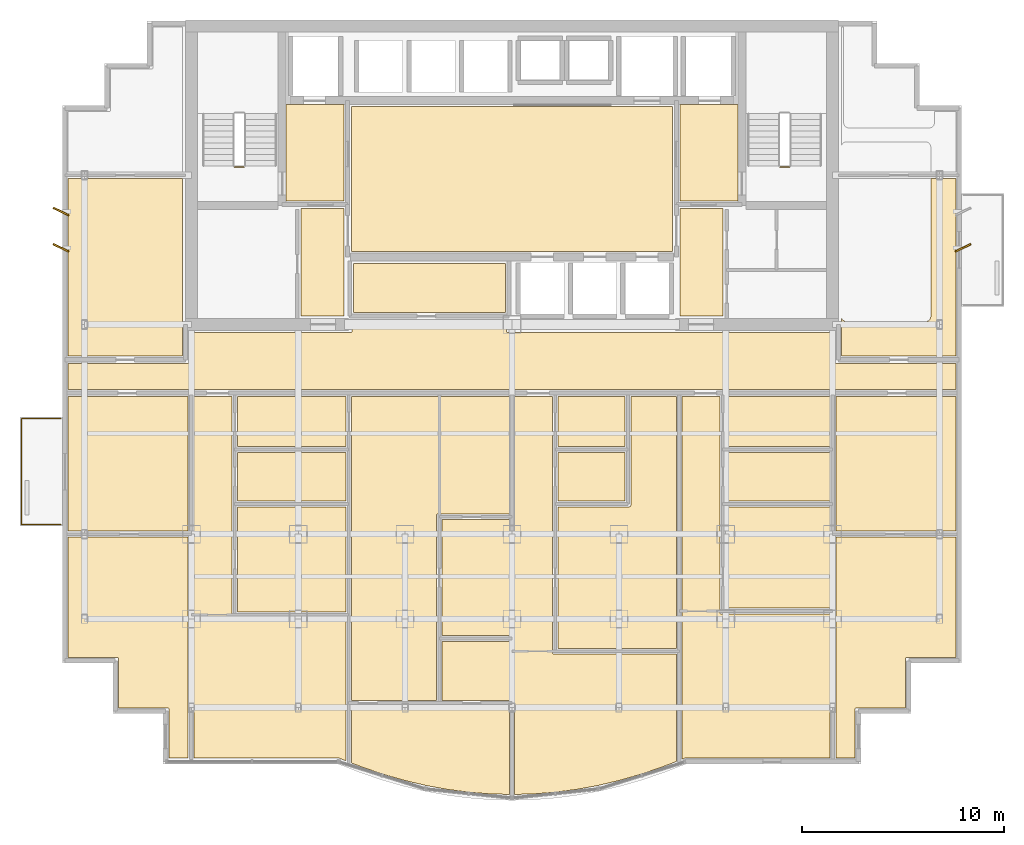
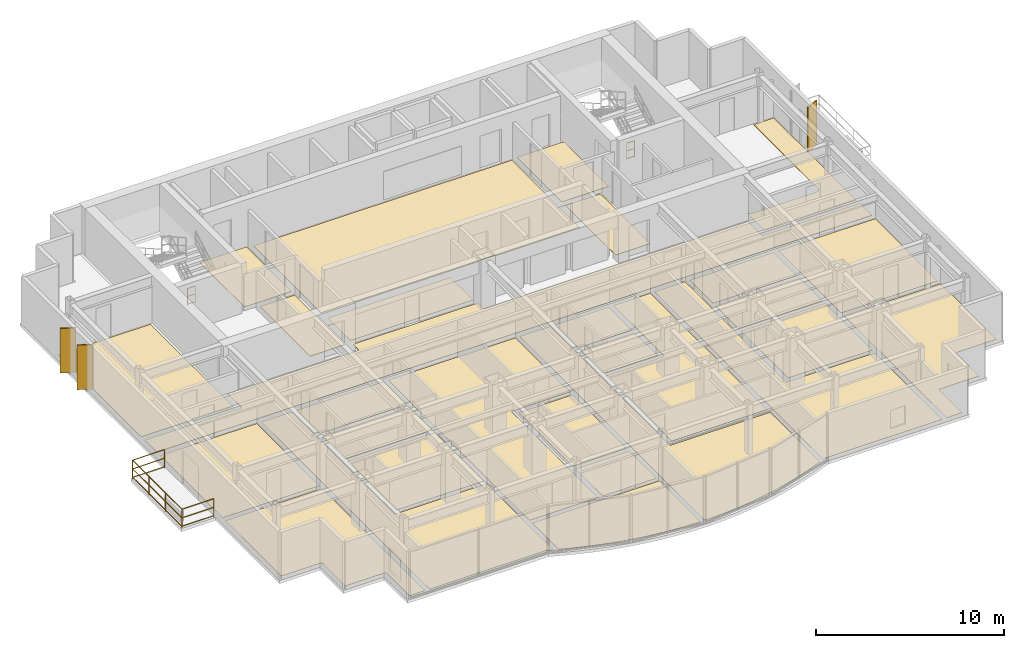
# One storey, part 10 of 11: 29 coverings, 3 railings, 3 shading devices.
"""IFC4 building model written with IfcOpenShell, lengths in metres."""

from ifc_helpers import new_model, si_unit, direction, frame, origin, origin_2d, place, context, subcontext, project, spatial, polyline, rectangle, circle, outline, extrude, source, transform, mapped, material, layer, layer_set, type_object, element, save


model = new_model("IFC4")

# Units and contexts
model_context = context("Model", 3, precision=1e-05, world=origin(), true_north=direction((0.0, 1.0)))
body_context = subcontext(model_context, "Body", "Model", "MODEL_VIEW")
ifc_project = project(units=[si_unit("LENGTHUNIT", "METRE"), si_unit("AREAUNIT", "SQUARE_METRE"), si_unit("VOLUMEUNIT", "CUBIC_METRE"), si_unit("PLANEANGLEUNIT", "RADIAN"), si_unit("MASSUNIT", "GRAM", prefix="KILO")], contexts=[model_context])

# Site, building, storey
site_placement = place(None, origin())
site = spatial("IfcSite", under=ifc_project, at=site_placement, CompositionType="ELEMENT")
building_placement = place(site_placement, origin())
building = spatial("IfcBuilding", under=site, at=building_placement, Name="Qianlan Lanfeng Residences", CompositionType="ELEMENT")
storey_placement = place(building_placement, frame((0.0, 0.0, 155.699951171875)))
storey = spatial("IfcBuildingStorey", under=building, at=storey_placement, Name="L42", CompositionType="ELEMENT", Elevation=155.699951171875)

# Coverings
ifc_material_1 = material(Name="Honed Taitung Granite Stone Flooring", Category="masonry")
ifc_layer_1 = layer(ifc_material_1, 0.030029296875)
ifc_layer_set_1 = layer_set([ifc_layer_1], Name="Honed Taitung Granite Stone Flooring")
covering_type_1 = type_object("IfcCoveringType", Name="FLR-STN-30", PredefinedType="FLOORING", material=ifc_layer_set_1)
covering_1_placement = place(storey_placement, origin())
element("IfcCovering", 1, at=covering_1_placement, inside=storey, type_object=covering_type_1, Name="L42 Firefighting Lift Lobby Floor Finish", PredefinedType="FLOORING", context=body_context, shape_type="SweptSolid", body=[
    extrude(outline(polyline([(15.2900390625, 31.320068359375), (18.179931640625, 31.320068359375), (18.179931640625, 36.110107421875), (15.2900390625, 36.110107421875), (15.2900390625, 31.320068359375)])), origin(), (0.0, 0.0, 1.0), 0.030029296875),
])
covering_2_placement = place(storey_placement, origin())
element("IfcCovering", 2, at=covering_2_placement, inside=storey, type_object=covering_type_1, Name="L42 Firefighting Lift Lobby Floor Finish", PredefinedType="FLOORING", context=body_context, shape_type="SweptSolid", body=[
    extrude(outline(polyline([(34.820068359375, 31.320068359375), (37.7099609375, 31.320068359375), (37.7099609375, 36.110107421875), (34.820068359375, 36.110107421875), (34.820068359375, 31.320068359375)])), origin(), (0.0, 0.0, 1.0), 0.030029296875),
])
covering_3_placement = place(storey_placement, origin())
element("IfcCovering", 3, at=covering_3_placement, inside=storey, type_object=covering_type_1, Name="L42 Lift Lobby Floor Finish", PredefinedType="FLOORING", context=body_context, shape_type="SweptSolid", body=[
    extrude(outline(polyline([(18.550048828125, 28.820068359375), (34.449951171875, 28.820068359375), (34.449951171875, 36.010009765625), (18.550048828125, 36.010009765625), (18.550048828125, 28.820068359375)])), origin(), (0.0, 0.0, 1.0), 0.030029296875),
])
covering_4_placement = place(storey_placement, origin())
element("IfcCovering", 4, at=covering_4_placement, inside=storey, type_object=covering_type_1, Name="L42 Residential Corridor Floor Finish", PredefinedType="FLOORING", context=body_context, shape_type="SweptSolid", body=[
    extrude(outline(polyline([(4.489990234375, 21.97998046875), (48.510009765625, 21.97998046875), (48.510009765625, 23.27001953125), (42.590087890625, 23.27001953125), (42.5830078125, 23.27001953125), (42.575927734375, 23.27099609375), (42.570068359375, 23.27294921875), (42.56298828125, 23.27490234375), (42.556884765625, 23.278076171875), (42.551025390625, 23.281982421875), (42.5458984375, 23.285888671875), (42.541015625, 23.291015625), (42.535888671875, 23.2958984375), (42.531982421875, 23.301025390625), (42.528076171875, 23.306884765625), (42.52490234375, 23.31298828125), (42.52294921875, 23.320068359375), (42.52099609375, 23.325927734375), (42.52001953125, 23.3330078125), (42.52001953125, 23.340087890625), (42.52001953125, 24.800048828125), (26.300048828125, 24.800048828125), (26.29296875, 24.800048828125), (26.285888671875, 24.801025390625), (26.280029296875, 24.802978515625), (26.27294921875, 24.804931640625), (26.26708984375, 24.80810546875), (26.260986328125, 24.81201171875), (26.256103515625, 24.81591796875), (26.2509765625, 24.821044921875), (26.24609375, 24.825927734375), (26.241943359375, 24.8310546875), (26.238037109375, 24.8369140625), (26.235107421875, 24.843017578125), (26.23291015625, 24.85009765625), (26.23095703125, 24.85595703125), (26.22998046875, 24.863037109375), (26.22998046875, 24.8701171875), (26.22998046875, 25.429931640625), (18.570068359375, 25.429931640625), (18.570068359375, 24.8701171875), (18.570068359375, 24.863037109375), (18.569091796875, 24.85595703125), (18.56689453125, 24.85009765625), (18.56494140625, 24.843017578125), (18.56201171875, 24.8369140625), (18.55810546875, 24.8310546875), (18.553955078125, 24.825927734375), (18.549072265625, 24.821044921875), (18.5439453125, 24.81591796875), (18.5390625, 24.81201171875), (18.532958984375, 24.80810546875), (18.527099609375, 24.804931640625), (18.52001953125, 24.802978515625), (18.513916015625, 24.801025390625), (18.507080078125, 24.800048828125), (18.5, 24.800048828125), (10.47998046875, 24.800048828125), (10.47998046875, 23.340087890625), (10.47998046875, 23.3330078125), (10.47900390625, 23.325927734375), (10.47705078125, 23.320068359375), (10.47509765625, 23.31298828125), (10.471923828125, 23.306884765625), (10.468017578125, 23.301025390625), (10.464111328125, 23.2958984375), (10.458984375, 23.291015625), (10.4541015625, 23.285888671875), (10.448974609375, 23.281982421875), (10.443115234375, 23.278076171875), (10.43701171875, 23.27490234375), (10.429931640625, 23.27294921875), (10.424072265625, 23.27099609375), (10.4169921875, 23.27001953125), (10.409912109375, 23.27001953125), (4.489990234375, 23.27001953125), (4.489990234375, 21.97998046875)])), origin(), (0.0, 0.0, 1.0), 0.030029296875),
])
covering_5_placement = place(storey_placement, origin())
element("IfcCovering", 5, at=covering_5_placement, inside=storey, type_object=covering_type_1, Name="L42 Lift Lobby Floor Finish", PredefinedType="FLOORING", context=body_context, shape_type="SweptSolid", body=[
    extrude(outline(polyline([(16.030029296875, 25.610107421875), (18.169921875, 25.610107421875), (18.169921875, 30.949951171875), (16.030029296875, 30.949951171875), (16.030029296875, 25.610107421875)])), origin(), (0.0, 0.0, 1.0), 0.030029296875),
])
covering_6_placement = place(storey_placement, origin())
element("IfcCovering", 6, at=covering_6_placement, inside=storey, type_object=covering_type_1, Name="L42 Lift Lobby Floor Finish", PredefinedType="FLOORING", context=body_context, shape_type="SweptSolid", body=[
    extrude(outline(polyline([(34.830078125, 25.610107421875), (36.969970703125, 25.610107421875), (36.969970703125, 30.949951171875), (34.830078125, 30.949951171875), (34.830078125, 25.610107421875)])), origin(), (0.0, 0.0, 1.0), 0.030029296875),
])
ifc_material_2 = material(Name="Slip-Resistant Porcelain Tile Flooring")
ifc_layer_2 = layer(ifc_material_2, 0.02001953125)
ifc_layer_set_2 = layer_set([ifc_layer_2], Name="Slip-Resistant Porcelain Tile Flooring")
covering_type_2 = type_object("IfcCoveringType", Name="FLR-TIL-20", PredefinedType="FLOORING", material=ifc_layer_set_2)
covering_7_placement = place(storey_placement, origin())
element("IfcCovering", 7, at=covering_7_placement, inside=storey, type_object=covering_type_2, Name="L42 Kitchen Floor Finish", PredefinedType="FLOORING", context=body_context, shape_type="SweptSolid", body=[
    extrude(outline(polyline([(12.889892578125, 16.43994140625), (18.260009765625, 16.43994140625), (18.260009765625, 18.860107421875), (12.889892578125, 18.860107421875), (12.889892578125, 16.43994140625)])), origin(), (0.0, 0.0, 1.0), 0.02001953125),
])
covering_8_placement = place(storey_placement, origin())
element("IfcCovering", 8, at=covering_8_placement, inside=storey, type_object=covering_type_2, Name="L42 Bathroom Floor Finish", PredefinedType="FLOORING", context=body_context, shape_type="SweptSolid", body=[
    extrude(outline(polyline([(12.889892578125, 19.139892578125), (18.260009765625, 19.139892578125), (18.260009765625, 21.6298828125), (12.889892578125, 21.6298828125), (12.889892578125, 19.139892578125)])), origin(), (0.0, 0.0, 1.0), 0.02001953125),
])
covering_9_placement = place(storey_placement, origin())
element("IfcCovering", 9, at=covering_9_placement, inside=storey, type_object=covering_type_2, Name="L42 En-Suite Bathroom Floor Finish", PredefinedType="FLOORING", context=body_context, shape_type="SweptSolid", body=[
    extrude(outline(polyline([(23.0400390625, 6.56396484375), (26.3701171875, 6.56396484375), (26.3701171875, 9.48388671875), (23.0400390625, 9.48388671875), (23.0400390625, 6.56396484375)])), origin(), (0.0, 0.0, 1.0), 0.02001953125),
])
covering_10_placement = place(storey_placement, origin())
element("IfcCovering", 10, at=covering_10_placement, inside=storey, type_object=covering_type_2, Name="L42 Kitchen Floor Finish", PredefinedType="FLOORING", context=body_context, shape_type="SweptSolid", body=[
    extrude(outline(polyline([(28.7900390625, 16.43994140625), (32.110107421875, 16.43994140625), (32.110107421875, 18.860107421875), (28.7900390625, 18.860107421875), (28.7900390625, 16.43994140625)])), origin(), (0.0, 0.0, 1.0), 0.02001953125),
])
covering_11_placement = place(storey_placement, origin())
element("IfcCovering", 11, at=covering_11_placement, inside=storey, type_object=covering_type_2, Name="L42 Bathroom Floor Finish", PredefinedType="FLOORING", context=body_context, shape_type="SweptSolid", body=[
    extrude(outline(polyline([(28.7900390625, 19.139892578125), (32.110107421875, 19.139892578125), (32.110107421875, 21.6298828125), (28.7900390625, 21.6298828125), (28.7900390625, 19.139892578125)])), origin(), (0.0, 0.0, 1.0), 0.02001953125),
])
covering_12_placement = place(storey_placement, origin())
element("IfcCovering", 12, at=covering_12_placement, inside=storey, type_object=covering_type_2, Name="L42 Kitchen Floor Finish", PredefinedType="FLOORING", context=body_context, shape_type="SweptSolid", body=[
    extrude(outline(polyline([(37.090087890625, 16.43994140625), (42.260009765625, 16.43994140625), (42.260009765625, 18.860107421875), (37.090087890625, 18.860107421875), (37.090087890625, 16.43994140625)])), origin(), (0.0, 0.0, 1.0), 0.02001953125),
])
covering_13_placement = place(storey_placement, origin())
element("IfcCovering", 13, at=covering_13_placement, inside=storey, type_object=covering_type_2, Name="L42 Bathroom Floor Finish", PredefinedType="FLOORING", context=body_context, shape_type="SweptSolid", body=[
    extrude(outline(polyline([(37.090087890625, 19.139892578125), (42.260009765625, 19.139892578125), (42.260009765625, 21.6298828125), (37.090087890625, 21.6298828125), (37.090087890625, 19.139892578125)])), origin(), (0.0, 0.0, 1.0), 0.02001953125),
])
ifc_material_3 = material(Name="Engineered Smoked Oak Timber Flooring", Category="wood")
ifc_layer_3 = layer(ifc_material_3, 0.02197265625)
ifc_layer_set_3 = layer_set([ifc_layer_3], Name="Engineered Smoked Oak Timber Flooring")
covering_type_3 = type_object("IfcCoveringType", Name="FLR-TIM-22", PredefinedType="FLOORING", material=ifc_layer_set_3)
covering_14_placement = place(storey_placement, origin())
element("IfcCovering", 14, at=covering_14_placement, inside=storey, type_object=covering_type_3, Name="L42 Resident Reading Lounge Floor Finish", PredefinedType="FLOORING", context=body_context, shape_type="SweptSolid", body=[
    extrude(outline(polyline([(18.6298828125, 25.800048828125), (26.169921875, 25.800048828125), (26.169921875, 28.22998046875), (18.6298828125, 28.22998046875), (18.6298828125, 25.800048828125)])), origin(), (0.0, 0.0, 1.0), 0.02197265625),
])
covering_15_placement = place(storey_placement, origin())
element("IfcCovering", 15, at=covering_15_placement, inside=storey, type_object=covering_type_3, Name="L42 Living and Dining Room Floor Finish", PredefinedType="FLOORING", context=body_context, shape_type="SweptSolid", body=[
    extrude(outline(polyline([(18.27001953125, 3.55908203125), (18.27001953125, 10.658935546875), (12.679931640625, 10.658935546875), (12.673095703125, 10.658935546875), (12.666015625, 10.659912109375), (12.659912109375, 10.662109375), (12.653076171875, 10.6640625), (12.64697265625, 10.6669921875), (12.64111328125, 10.6708984375), (12.635986328125, 10.675048828125), (12.631103515625, 10.679931640625), (12.6259765625, 10.68505859375), (12.6220703125, 10.68994140625), (12.617919921875, 10.696044921875), (12.614990234375, 10.701904296875), (12.613037109375, 10.708984375), (12.611083984375, 10.715087890625), (12.610107421875, 10.721923828125), (12.610107421875, 10.72900390625), (12.610107421875, 21.6298828125), (10.72998046875, 21.6298828125), (10.72998046875, 3.68994140625), (17.922119140625, 3.68994140625), (17.927978515625, 3.68994140625), (17.93505859375, 3.68896484375), (17.94091796875, 3.68701171875), (17.947021484375, 3.68505859375), (18.27001953125, 3.55908203125)])), origin(), (0.0, 0.0, 1.0), 0.02197265625),
])
covering_16_placement = place(storey_placement, origin())
element("IfcCovering", 16, at=covering_16_placement, inside=storey, type_object=covering_type_3, Name="L42 Villa Family Sitting Room Floor Finish", PredefinedType="FLOORING", context=body_context, shape_type="SweptSolid", body=[
    extrude(outline(polyline([(12.889892578125, 16.159912109375), (12.889892578125, 10.93896484375), (18.27001953125, 10.93896484375), (18.27001953125, 16.159912109375), (12.889892578125, 16.159912109375)])), origin(), (0.0, 0.0, 1.0), 0.02197265625),
])
covering_17_placement = place(storey_placement, origin())
element("IfcCovering", 17, at=covering_17_placement, inside=storey, type_object=covering_type_3, Name="L42 Private Study Floor Finish", PredefinedType="FLOORING", context=body_context, shape_type="SweptSolid", body=[
    extrude(outline(polyline([(23.0400390625, 9.763916015625), (26.3701171875, 9.763916015625), (26.3701171875, 15.52197265625), (23.0400390625, 15.52197265625), (23.0400390625, 9.763916015625)])), origin(), (0.0, 0.0, 1.0), 0.02197265625),
])
covering_18_placement = place(storey_placement, origin())
element("IfcCovering", 18, at=covering_18_placement, inside=storey, type_object=covering_type_3, Name="L42 Villa Family Sitting Room Floor Finish", PredefinedType="FLOORING", context=body_context, shape_type="SweptSolid", body=[
    extrude(outline(polyline([(18.530029296875, 6.56396484375), (22.760009765625, 6.56396484375), (22.760009765625, 15.73193359375), (22.760009765625, 15.739013671875), (22.760986328125, 15.74609375), (22.762939453125, 15.751953125), (22.764892578125, 15.759033203125), (22.76806640625, 15.764892578125), (22.77197265625, 15.77099609375), (22.77587890625, 15.77587890625), (22.781005859375, 15.781005859375), (22.785888671875, 15.785888671875), (22.791015625, 15.7900390625), (22.797119140625, 15.7939453125), (22.802978515625, 15.797119140625), (22.81005859375, 15.799072265625), (22.81591796875, 15.801025390625), (22.822998046875, 15.802001953125), (22.830078125, 15.802001953125), (26.3701171875, 15.802001953125), (26.3701171875, 21.6298828125), (18.530029296875, 21.6298828125), (18.530029296875, 6.56396484375)])), origin(), (0.0, 0.0, 1.0), 0.02197265625),
])
covering_19_placement = place(storey_placement, origin())
element("IfcCovering", 19, at=covering_19_placement, inside=storey, type_object=covering_type_3, Name="L42 Master Bedroom Floor Finish", PredefinedType="FLOORING", context=body_context, shape_type="SweptSolid", body=[
    extrude(outline(polyline([(18.530029296875, 6.283935546875), (18.530029296875, 3.45703125), (19.056884765625, 3.25), (20.1220703125, 2.888916015625), (21.18505859375, 2.583984375), (22.2490234375, 2.333984375), (23.31201171875, 2.139892578125), (24.375, 2.001953125), (25.43701171875, 1.91796875), (26.3701171875, 1.89306640625), (26.3701171875, 6.283935546875), (18.530029296875, 6.283935546875)])), origin(), (0.0, 0.0, 1.0), 0.02197265625),
])
covering_20_placement = place(storey_placement, origin())
element("IfcCovering", 20, at=covering_20_placement, inside=storey, type_object=covering_type_3, Name="L42 Studio Living Room Floor Finish", PredefinedType="FLOORING", context=body_context, shape_type="SweptSolid", body=[
    extrude(outline(polyline([(34.669921875, 3.534912109375), (34.669921875, 8.85107421875), (28.580078125, 8.85107421875), (28.572998046875, 8.85107421875), (28.56591796875, 8.85205078125), (28.56005859375, 8.85400390625), (28.552978515625, 8.85595703125), (28.547119140625, 8.85888671875), (28.541015625, 8.863037109375), (28.535888671875, 8.866943359375), (28.531005859375, 8.8720703125), (28.52587890625, 8.876953125), (28.52197265625, 8.882080078125), (28.51806640625, 8.887939453125), (28.514892578125, 8.89404296875), (28.512939453125, 8.90087890625), (28.510986328125, 8.906982421875), (28.510009765625, 8.9140625), (28.510009765625, 8.9208984375), (28.510009765625, 21.6298828125), (26.6298828125, 21.6298828125), (26.6298828125, 1.89306640625), (27.56298828125, 1.91796875), (28.625, 2.0009765625), (29.68701171875, 2.139892578125), (30.7509765625, 2.333984375), (31.81396484375, 2.583984375), (32.8779296875, 2.888916015625), (33.94189453125, 3.25), (34.669921875, 3.534912109375)])), origin(), (0.0, 0.0, 1.0), 0.02197265625),
])
covering_21_placement = place(storey_placement, origin())
element("IfcCovering", 21, at=covering_21_placement, inside=storey, type_object=covering_type_3, Name="L42 Villa Family Sitting Room Floor Finish", PredefinedType="FLOORING", context=body_context, shape_type="SweptSolid", body=[
    extrude(outline(polyline([(28.7900390625, 9.131103515625), (34.669921875, 9.131103515625), (34.669921875, 21.6298828125), (32.389892578125, 21.6298828125), (32.389892578125, 16.22998046875), (32.389892578125, 16.222900390625), (32.388916015625, 16.216064453125), (32.386962890625, 16.2099609375), (32.385009765625, 16.202880859375), (32.382080078125, 16.197021484375), (32.3779296875, 16.19091796875), (32.3740234375, 16.18603515625), (32.368896484375, 16.180908203125), (32.364013671875, 16.176025390625), (32.35888671875, 16.172119140625), (32.35302734375, 16.16796875), (32.346923828125, 16.1650390625), (32.340087890625, 16.1630859375), (32.333984375, 16.160888671875), (32.326904296875, 16.159912109375), (32.320068359375, 16.159912109375), (28.7900390625, 16.159912109375), (28.7900390625, 9.131103515625)])), origin(), (0.0, 0.0, 1.0), 0.02197265625),
])
covering_22_placement = place(storey_placement, origin())
element("IfcCovering", 22, at=covering_22_placement, inside=storey, type_object=covering_type_3, Name="L42 Studio Living Room Floor Finish", PredefinedType="FLOORING", context=body_context, shape_type="SweptSolid", body=[
    extrude(outline(polyline([(42.27001953125, 3.68994140625), (42.27001953125, 10.847900390625), (36.8798828125, 10.847900390625), (36.873046875, 10.847900390625), (36.865966796875, 10.84912109375), (36.860107421875, 10.85107421875), (36.85302734375, 10.85302734375), (36.846923828125, 10.85595703125), (36.841064453125, 10.860107421875), (36.8359375, 10.864013671875), (36.8310546875, 10.868896484375), (36.825927734375, 10.8740234375), (36.822021484375, 10.87890625), (36.818115234375, 10.885009765625), (36.81494140625, 10.89111328125), (36.81298828125, 10.89794921875), (36.81103515625, 10.904052734375), (36.81005859375, 10.910888671875), (36.81005859375, 10.91796875), (36.81005859375, 21.6298828125), (34.929931640625, 21.6298828125), (34.929931640625, 3.636962890625), (35.052978515625, 3.68505859375), (35.05908203125, 3.68701171875), (35.06494140625, 3.68896484375), (35.072021484375, 3.68994140625), (35.077880859375, 3.68994140625), (42.27001953125, 3.68994140625)])), origin(), (0.0, 0.0, 1.0), 0.02197265625),
])
covering_23_placement = place(storey_placement, origin())
element("IfcCovering", 23, at=covering_23_placement, inside=storey, type_object=covering_type_3, Name="L42 Villa Family Sitting Room Floor Finish", PredefinedType="FLOORING", context=body_context, shape_type="SweptSolid", body=[
    extrude(outline(polyline([(37.090087890625, 16.159912109375), (37.090087890625, 11.1279296875), (42.27001953125, 11.1279296875), (42.27001953125, 16.159912109375), (37.090087890625, 16.159912109375)])), origin(), (0.0, 0.0, 1.0), 0.02197265625),
])
covering_24_placement = place(storey_placement, origin())
element("IfcCovering", 24, at=covering_24_placement, inside=storey, type_object=covering_type_3, Name="L42 Sunroom Floor Finish", PredefinedType="FLOORING", context=body_context, shape_type="SweptSolid", body=[
    extrude(outline(polyline([(10.43994140625, 14.64990234375), (4.489990234375, 14.64990234375), (4.489990234375, 8.68994140625), (6.919921875, 8.68994140625), (6.927001953125, 8.68994140625), (6.93408203125, 8.68896484375), (6.93994140625, 8.68701171875), (6.947021484375, 8.68505859375), (6.952880859375, 8.681884765625), (6.958984375, 8.677978515625), (6.964111328125, 8.674072265625), (6.968994140625, 8.6689453125), (6.97412109375, 8.6640625), (6.97802734375, 8.658935546875), (6.98193359375, 8.653076171875), (6.985107421875, 8.64697265625), (6.987060546875, 8.639892578125), (6.989013671875, 8.634033203125), (6.989990234375, 8.626953125), (6.989990234375, 8.6201171875), (6.989990234375, 6.18994140625), (9.419921875, 6.18994140625), (9.427001953125, 6.18994140625), (9.43408203125, 6.18896484375), (9.43994140625, 6.18701171875), (9.447021484375, 6.18505859375), (9.452880859375, 6.181884765625), (9.458984375, 6.177978515625), (9.464111328125, 6.174072265625), (9.468994140625, 6.1689453125), (9.47412109375, 6.1640625), (9.47802734375, 6.158935546875), (9.48193359375, 6.153076171875), (9.485107421875, 6.14697265625), (9.487060546875, 6.139892578125), (9.489013671875, 6.134033203125), (9.489990234375, 6.126953125), (9.489990234375, 6.1201171875), (9.489990234375, 3.68994140625), (10.43994140625, 3.68994140625), (10.43994140625, 14.64990234375)])), origin(), (0.0, 0.0, 1.0), 0.02197265625),
])
covering_25_placement = place(storey_placement, origin())
element("IfcCovering", 25, at=covering_25_placement, inside=storey, type_object=covering_type_3, Name="L42 Family Sitting Room Floor Finish", PredefinedType="FLOORING", context=body_context, shape_type="SweptSolid", body=[
    extrude(outline(polyline([(10.43994140625, 21.6298828125), (4.489990234375, 21.6298828125), (4.489990234375, 14.949951171875), (10.43994140625, 14.949951171875), (10.43994140625, 21.6298828125)])), origin(), (0.0, 0.0, 1.0), 0.02197265625),
])
covering_26_placement = place(storey_placement, origin())
element("IfcCovering", 26, at=covering_26_placement, inside=storey, type_object=covering_type_3, Name="L42 Sunroom Floor Finish", PredefinedType="FLOORING", context=body_context, shape_type="SweptSolid", body=[
    extrude(outline(polyline([(48.510009765625, 14.64990234375), (42.56005859375, 14.64990234375), (42.56005859375, 3.68994140625), (43.510009765625, 3.68994140625), (43.510009765625, 6.1201171875), (43.510009765625, 6.126953125), (43.510986328125, 6.134033203125), (43.512939453125, 6.139892578125), (43.514892578125, 6.14697265625), (43.51806640625, 6.153076171875), (43.52197265625, 6.158935546875), (43.52587890625, 6.1640625), (43.531005859375, 6.1689453125), (43.535888671875, 6.174072265625), (43.541015625, 6.177978515625), (43.547119140625, 6.181884765625), (43.552978515625, 6.18505859375), (43.56005859375, 6.18701171875), (43.56591796875, 6.18896484375), (43.572998046875, 6.18994140625), (43.580078125, 6.18994140625), (46.010009765625, 6.18994140625), (46.010009765625, 8.6201171875), (46.010009765625, 8.626953125), (46.010986328125, 8.634033203125), (46.012939453125, 8.639892578125), (46.014892578125, 8.64697265625), (46.01806640625, 8.653076171875), (46.02197265625, 8.658935546875), (46.02587890625, 8.6640625), (46.031005859375, 8.6689453125), (46.035888671875, 8.674072265625), (46.041015625, 8.677978515625), (46.047119140625, 8.681884765625), (46.052978515625, 8.68505859375), (46.06005859375, 8.68701171875), (46.06591796875, 8.68896484375), (46.072998046875, 8.68994140625), (46.080078125, 8.68994140625), (48.510009765625, 8.68994140625), (48.510009765625, 14.64990234375)])), origin(), (0.0, 0.0, 1.0), 0.02197265625),
])
covering_27_placement = place(storey_placement, origin())
element("IfcCovering", 27, at=covering_27_placement, inside=storey, type_object=covering_type_3, Name="L42 Private Study Floor Finish", PredefinedType="FLOORING", context=body_context, shape_type="SweptSolid", body=[
    extrude(outline(polyline([(48.510009765625, 21.6298828125), (42.56005859375, 21.6298828125), (42.56005859375, 14.949951171875), (48.510009765625, 14.949951171875), (48.510009765625, 21.6298828125)])), origin(), (0.0, 0.0, 1.0), 0.02197265625),
])
covering_28_placement = place(storey_placement, origin())
element("IfcCovering", 28, at=covering_28_placement, inside=storey, type_object=covering_type_3, Name="L42 Cigar and Tea Room Floor Finish", PredefinedType="FLOORING", context=body_context, shape_type="SweptSolid", body=[
    extrude(outline(polyline([(10.14990234375, 32.449951171875), (4.489990234375, 32.449951171875), (4.489990234375, 23.6298828125), (10.14990234375, 23.6298828125), (10.14990234375, 32.449951171875)])), origin(), (0.0, 0.0, 1.0), 0.02197265625),
])
covering_29_placement = place(storey_placement, origin())
element("IfcCovering", 29, at=covering_29_placement, inside=storey, type_object=covering_type_3, Name="L42 Cigar and Tea Room Floor Finish", PredefinedType="FLOORING", context=body_context, shape_type="SweptSolid", body=[
    extrude(outline(polyline([(48.510009765625, 32.449951171875), (47.27001953125, 32.449951171875), (47.27001953125, 25.60009765625), (47.26904296875, 25.574951171875), (47.264892578125, 25.551025390625), (47.259033203125, 25.527099609375), (47.2509765625, 25.50390625), (47.239990234375, 25.48193359375), (47.22802734375, 25.4609375), (47.212890625, 25.44091796875), (47.197021484375, 25.423095703125), (47.178955078125, 25.406982421875), (47.158935546875, 25.39208984375), (47.137939453125, 25.3798828125), (47.115966796875, 25.368896484375), (47.093017578125, 25.361083984375), (47.069091796875, 25.35498046875), (47.044921875, 25.35107421875), (47.02001953125, 25.35009765625), (43.080078125, 25.35009765625), (43.054931640625, 25.35107421875), (43.031005859375, 25.35498046875), (43.007080078125, 25.361083984375), (42.98388671875, 25.368896484375), (42.9619140625, 25.3798828125), (42.94091796875, 25.39208984375), (42.9208984375, 25.406982421875), (42.903076171875, 25.423095703125), (42.886962890625, 25.44091796875), (42.8720703125, 25.4609375), (42.860107421875, 25.48193359375), (42.85009765625, 25.501953125), (42.85009765625, 23.6298828125), (48.510009765625, 23.6298828125), (48.510009765625, 32.449951171875)])), origin(), (0.0, 0.0, 1.0), 0.02197265625),
])

# Railings
ifc_material_4 = material(Name="Anodised Bronze Aluminium and Laminated Glass Guard Balustrade", Category="aluminium")
railing_type_1 = type_object("IfcRailingType", Name="GR-EXT-1220", PredefinedType="BALUSTRADE", material=ifc_material_4)
railing_placement = place(storey_placement, frame((4.1298828125, 15.27001953125, 0.0)))
element("IfcRailing", 30, at=railing_placement, inside=storey, type_object=railing_type_1, Name="L42 Terrace Safety Guard GR-L42-WB-S", PredefinedType="BALUSTRADE", context=body_context, shape_type="SweptSolid", body=[
    extrude(circle(Radius=0.02490234375, at=origin_2d()), frame((0.0, 0.0, 0.0849609375), z_axis=(-1.0, 0.0, 0.0), x_axis=(0.0, -1.0, 0.0)), (0.0, 0.0, 1.0), 1.9599609375),
    extrude(circle(Radius=0.02490234375, at=origin_2d()), frame((0.0, 0.0, 0.63427734375), z_axis=(-1.0, 0.0, 0.0), x_axis=(0.0, -1.0, 0.0)), (0.0, 0.0, 1.0), 1.9599609375),
    extrude(circle(Radius=0.02490234375, at=origin_2d()), frame((0.0, 0.0, 1.19482421875), z_axis=(-1.0, 0.0, 0.0), x_axis=(0.0, -1.0, 0.0)), (0.0, 0.0, 1.0), 1.9599609375),
    extrude(circle(Radius=0.02490234375, at=origin_2d()), frame((-1.9599609375, 0.0, 0.0849609375), z_axis=(0.0, 1.0, 0.0), x_axis=(-1.0, 0.0, 0.0)), (0.0, 0.0, 1.0), 5.260009765625),
    extrude(circle(Radius=0.02490234375, at=origin_2d()), frame((-1.9599609375, 0.0, 0.63427734375), z_axis=(0.0, 1.0, 0.0), x_axis=(-1.0, 0.0, 0.0)), (0.0, 0.0, 1.0), 5.260009765625),
    extrude(circle(Radius=0.02490234375, at=origin_2d()), frame((-1.9599609375, 0.0, 1.19482421875), z_axis=(0.0, 1.0, 0.0), x_axis=(-1.0, 0.0, 0.0)), (0.0, 0.0, 1.0), 5.260009765625),
    extrude(circle(Radius=0.02490234375, at=origin_2d()), frame((-1.9599609375, 5.260009765625, 0.0849609375), z_axis=(1.0, 0.0, 0.0), x_axis=(0.0, 1.0, 0.0)), (0.0, 0.0, 1.0), 1.9599609375),
    extrude(circle(Radius=0.02490234375, at=origin_2d()), frame((-1.9599609375, 5.260009765625, 0.63427734375), z_axis=(1.0, 0.0, 0.0), x_axis=(0.0, 1.0, 0.0)), (0.0, 0.0, 1.0), 1.9599609375),
    extrude(circle(Radius=0.02490234375, at=origin_2d()), frame((-1.9599609375, 5.260009765625, 1.19482421875), z_axis=(1.0, 0.0, 0.0), x_axis=(0.0, 1.0, 0.0)), (0.0, 0.0, 1.0), 1.9599609375),
    extrude(circle(Radius=0.02099609375, at=origin_2d()), origin(), (0.0, 0.0, 1.0), 1.169921875),
    extrude(circle(Radius=0.02099609375, at=origin_2d()), frame((-1.9599609375, 0.0, 0.0)), (0.0, 0.0, 1.0), 1.169921875),
    extrude(circle(Radius=0.02099609375, at=origin_2d()), frame((-1.9599609375, 1.75341796875, 0.0)), (0.0, 0.0, 1.0), 1.169921875),
    extrude(circle(Radius=0.02099609375, at=origin_2d()), frame((-1.9599609375, 3.506591796875, 0.0)), (0.0, 0.0, 1.0), 1.169921875),
    extrude(circle(Radius=0.02099609375, at=origin_2d()), frame((-1.9599609375, 5.260009765625, 0.0)), (0.0, 0.0, 1.0), 1.169921875),
    extrude(circle(Radius=0.02099609375, at=origin_2d()), frame((0.0, 5.260009765625, 0.0)), (0.0, 0.0, 1.0), 1.169921875),
])
ifc_material_5 = material(Name="Painted Galvanised Steel Guardrail", Category="steel")
railing_type_2 = type_object("IfcRailingType", Name="GR-ST-1120", PredefinedType="GUARDRAIL", material=ifc_material_5)
for number, where, name in (
    (31, (13.219970703125, 33.0, 0.0), "L42 ST-1 stair guard 4"),
    (32, (40.260009765625, 33.0, 0.0), "L42 ST-2 stair guard 4"),
):
    element("IfcRailing", number, at=place(storey_placement, frame(where)), inside=storey, type_object=railing_type_2, Name=name, PredefinedType="GUARDRAIL", context=body_context, shape_type="SweptSolid", body=[
        extrude(circle(Radius=0.02392578125, at=origin_2d()), frame((0.0, 0.0, 0.083984375), z_axis=(-1.0, 0.0, 0.0), x_axis=(0.0, -1.0, 0.0)), (0.0, 0.0, 1.0), 0.47998046875),
        extrude(circle(Radius=0.02392578125, at=origin_2d()), frame((0.0, 0.0, 0.58251953125), z_axis=(-1.0, 0.0, 0.0), x_axis=(0.0, -1.0, 0.0)), (0.0, 0.0, 1.0), 0.47998046875),
        extrude(circle(Radius=0.02392578125, at=origin_2d()), frame((0.0, 0.0, 1.09619140625), z_axis=(-1.0, 0.0, 0.0), x_axis=(0.0, -1.0, 0.0)), (0.0, 0.0, 1.0), 0.47998046875),
        extrude(circle(Radius=0.02099609375, at=origin_2d()), origin(), (0.0, 0.0, 1.0), 1.072021484375),
        extrude(circle(Radius=0.02099609375, at=origin_2d()), frame((-0.47998046875, 0.0, 0.0)), (0.0, 0.0, 1.0), 1.072021484375),
    ])

# Shading devices
ifc_material_6 = material(Name="Anodised Bronze Aluminium Solar Fin", Category="aluminium")
shading_device_type = type_object("IfcShadingDeviceType", Name="FIN-BRZ-850", PredefinedType="SHUTTER", material=ifc_material_6)
shared_shape = source(origin(), body_context, "Body", "SweptSolid", [
    extrude(rectangle(XDim=0.85009765625, YDim=0.080078125, at=origin_2d()), origin(), (0.0, 0.0, 1.0), 2.89990234375),
])
for number, where, z_axis, x_axis, name in (
    (33, (4.1298828125, 29.0, 0.0), (0.0, 0.0, 1.0), (0.898794046299, -0.438371146789, 0.0), "L42 Raked Bronze Solar Fin W1"),
    (34, (4.1298828125, 30.800048828125, 0.0), (0.0, 0.0, 1.0), (0.898794046299, -0.438371146789, 0.0), "L42 Raked Bronze Solar Fin W2"),
    (35, (48.8701171875, 29.0, 0.0), (0.0, 0.0, 1.0), (0.898794046299, 0.438371146789, 0.0), "L42 Raked Bronze Solar Fin E1"),
):
    element("IfcShadingDevice", number, at=place(storey_placement, frame(where, z_axis=z_axis, x_axis=x_axis)), inside=storey, type_object=shading_device_type, Name=name, PredefinedType="SHUTTER", context=body_context, shape_type="MappedRepresentation", body=[
        mapped(shared_shape, transform((0.0, 0.0, 0.0), scale=1.0)),
    ])

save(model, "model.ifc")
